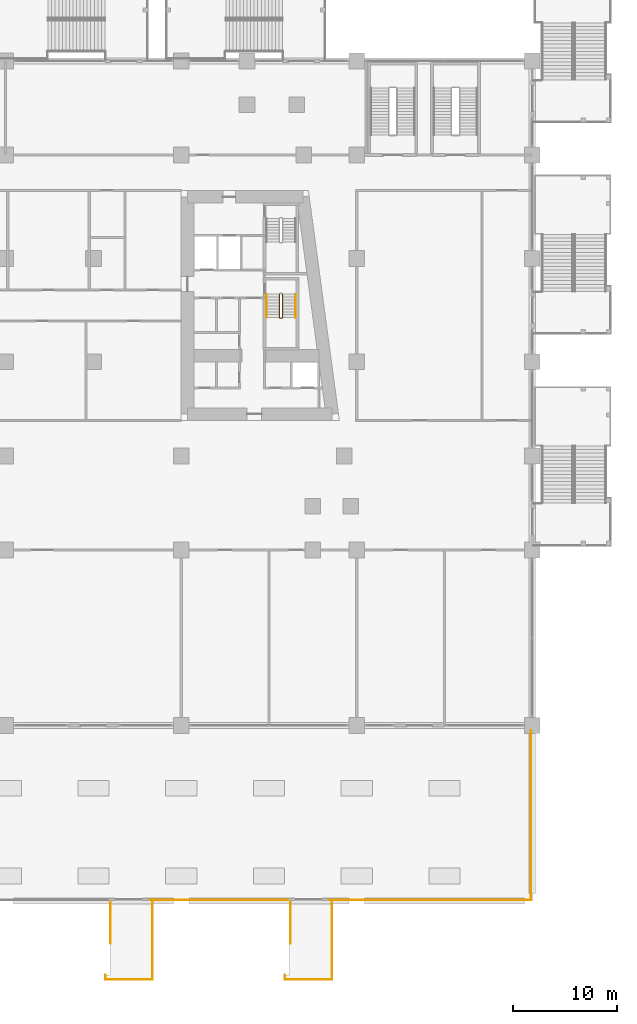
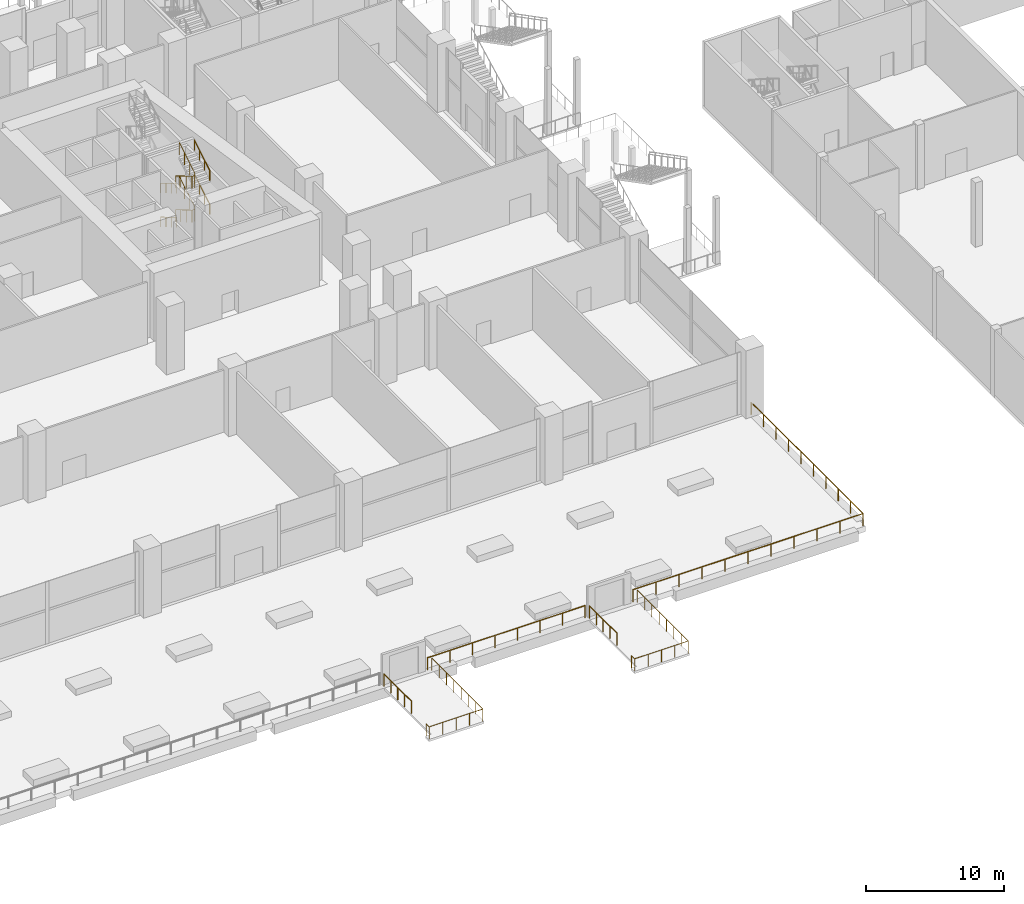
# One storey, part 36 of 47: 13 railings.
"""IFC4 building model written with IfcOpenShell, lengths in metres."""

from ifc_helpers import new_model, si_unit, direction, frame, origin, origin_2d, place, context, subcontext, project, spatial, circle, extrude, material, type_object, element, save


model = new_model("IFC4")

# Units and contexts
model_context = context("Model", 3, precision=1e-05, world=origin(), true_north=direction((0.0, 1.0)))
body_context = subcontext(model_context, "Body", "Model", "MODEL_VIEW")
ifc_project = project(units=[si_unit("LENGTHUNIT", "METRE"), si_unit("AREAUNIT", "SQUARE_METRE"), si_unit("VOLUMEUNIT", "CUBIC_METRE"), si_unit("PLANEANGLEUNIT", "RADIAN"), si_unit("MASSUNIT", "GRAM", prefix="KILO")], contexts=[model_context])

# Site, building, storey
site_placement = place(None, origin())
site = spatial("IfcSite", under=ifc_project, at=site_placement, CompositionType="ELEMENT")
building_placement = place(site_placement, origin())
building = spatial("IfcBuilding", under=site, at=building_placement, Name="Candeia Pilgrim Tower and Theatre", CompositionType="ELEMENT")
storey_placement = place(building_placement, frame((0.0, 0.0, 23.0)))
storey = spatial("IfcBuildingStorey", under=building, at=storey_placement, Name="L03", CompositionType="ELEMENT", Elevation=23.0)

# Railings
ifc_material_1 = material(Name="Stainless steel balustrade", Category="steel")
railing_type_1 = type_object("IfcRailingType", Name="G1 loggia guard 1100", PredefinedType="GUARDRAIL", material=ifc_material_1)
railing_1_placement = place(storey_placement, frame((159.47998046875, 64.52001953125, 0.0)))
element("IfcRailing", 1, at=railing_1_placement, inside=storey, type_object=railing_type_1, Name="Terrace guard L03.1", PredefinedType="GUARDRAIL", context=body_context, shape_type="SweptSolid", body=[
    extrude(circle(Radius=0.02392578125, at=origin_2d()), frame((0.0, 0.0, 1.076171875), z_axis=(-1.0, 0.0, 0.0), x_axis=(0.0, -1.0, 0.0)), (0.0, 0.0, 1.0), 19.280029296875),
    extrude(circle(Radius=0.02099609375, at=origin_2d()), origin(), (0.0, 0.0, 1.0), 1.052001953125),
    extrude(circle(Radius=0.02099609375, at=origin_2d()), frame((-1.927978515625, 0.0, 0.0)), (0.0, 0.0, 1.0), 1.052001953125),
    extrude(circle(Radius=0.02099609375, at=origin_2d()), frame((-3.85595703125, 0.0, 0.0)), (0.0, 0.0, 1.0), 1.052001953125),
    extrude(circle(Radius=0.02099609375, at=origin_2d()), frame((-5.783935546875, 0.0, 0.0)), (0.0, 0.0, 1.0), 1.052001953125),
    extrude(circle(Radius=0.02099609375, at=origin_2d()), frame((-7.7119140625, 0.0, 0.0)), (0.0, 0.0, 1.0), 1.052001953125),
    extrude(circle(Radius=0.02099609375, at=origin_2d()), frame((-9.64013671875, 0.0, 0.0)), (0.0, 0.0, 1.0), 1.052001953125),
    extrude(circle(Radius=0.02099609375, at=origin_2d()), frame((-11.568115234375, 0.0, 0.0)), (0.0, 0.0, 1.0), 1.052001953125),
    extrude(circle(Radius=0.02099609375, at=origin_2d()), frame((-13.49609375, 0.0, 0.0)), (0.0, 0.0, 1.0), 1.052001953125),
    extrude(circle(Radius=0.02099609375, at=origin_2d()), frame((-15.424072265625, 0.0, 0.0)), (0.0, 0.0, 1.0), 1.052001953125),
    extrude(circle(Radius=0.02099609375, at=origin_2d()), frame((-17.35205078125, 0.0, 0.0)), (0.0, 0.0, 1.0), 1.052001953125),
    extrude(circle(Radius=0.02099609375, at=origin_2d()), frame((-19.280029296875, 0.0, 0.0)), (0.0, 0.0, 1.0), 1.052001953125),
])
railing_2_placement = place(storey_placement, frame((136.199951171875, 64.52001953125, 0.0)))
element("IfcRailing", 2, at=railing_2_placement, inside=storey, type_object=railing_type_1, Name="Terrace guard L03.2", PredefinedType="GUARDRAIL", context=body_context, shape_type="SweptSolid", body=[
    extrude(circle(Radius=0.02392578125, at=origin_2d()), frame((0.0, 0.0, 1.076171875), z_axis=(-1.0, 0.0, 0.0), x_axis=(0.0, -1.0, 0.0)), (0.0, 0.0, 1.0), 13.199951171875),
    extrude(circle(Radius=0.02099609375, at=origin_2d()), origin(), (0.0, 0.0, 1.0), 1.052001953125),
    extrude(circle(Radius=0.02099609375, at=origin_2d()), frame((-1.8857421875, 0.0, 0.0)), (0.0, 0.0, 1.0), 1.052001953125),
    extrude(circle(Radius=0.02099609375, at=origin_2d()), frame((-3.771484375, 0.0, 0.0)), (0.0, 0.0, 1.0), 1.052001953125),
    extrude(circle(Radius=0.02099609375, at=origin_2d()), frame((-5.6572265625, 0.0, 0.0)), (0.0, 0.0, 1.0), 1.052001953125),
    extrude(circle(Radius=0.02099609375, at=origin_2d()), frame((-7.542724609375, 0.0, 0.0)), (0.0, 0.0, 1.0), 1.052001953125),
    extrude(circle(Radius=0.02099609375, at=origin_2d()), frame((-9.428466796875, 0.0, 0.0)), (0.0, 0.0, 1.0), 1.052001953125),
    extrude(circle(Radius=0.02099609375, at=origin_2d()), frame((-11.314208984375, 0.0, 0.0)), (0.0, 0.0, 1.0), 1.052001953125),
    extrude(circle(Radius=0.02099609375, at=origin_2d()), frame((-13.199951171875, 0.0, 0.0)), (0.0, 0.0, 1.0), 1.052001953125),
])
railing_3_placement = place(storey_placement, frame((159.47998046875, 80.75, 0.0)))
element("IfcRailing", 3, at=railing_3_placement, inside=storey, type_object=railing_type_1, Name="Terrace guard L03.6", PredefinedType="GUARDRAIL", context=body_context, shape_type="SweptSolid", body=[
    extrude(circle(Radius=0.02392578125, at=origin_2d()), frame((0.0, 0.0, 1.076171875), z_axis=(0.0, -1.0, 0.0), x_axis=(1.0, 0.0, 0.0)), (0.0, 0.0, 1.0), 16.22998046875),
    extrude(circle(Radius=0.02099609375, at=origin_2d()), origin(), (0.0, 0.0, 1.0), 1.052001953125),
    extrude(circle(Radius=0.02099609375, at=origin_2d()), frame((0.0, -1.80322265625, 0.0)), (0.0, 0.0, 1.0), 1.052001953125),
    extrude(circle(Radius=0.02099609375, at=origin_2d()), frame((0.0, -3.606689453125, 0.0)), (0.0, 0.0, 1.0), 1.052001953125),
    extrude(circle(Radius=0.02099609375, at=origin_2d()), frame((0.0, -5.409912109375, 0.0)), (0.0, 0.0, 1.0), 1.052001953125),
    extrude(circle(Radius=0.02099609375, at=origin_2d()), frame((0.0, -7.21337890625, 0.0)), (0.0, 0.0, 1.0), 1.052001953125),
    extrude(circle(Radius=0.02099609375, at=origin_2d()), frame((0.0, -9.0166015625, 0.0)), (0.0, 0.0, 1.0), 1.052001953125),
    extrude(circle(Radius=0.02099609375, at=origin_2d()), frame((0.0, -10.820068359375, 0.0)), (0.0, 0.0, 1.0), 1.052001953125),
    extrude(circle(Radius=0.02099609375, at=origin_2d()), frame((0.0, -12.623291015625, 0.0)), (0.0, 0.0, 1.0), 1.052001953125),
    extrude(circle(Radius=0.02099609375, at=origin_2d()), frame((0.0, -14.4267578125, 0.0)), (0.0, 0.0, 1.0), 1.052001953125),
    extrude(circle(Radius=0.02099609375, at=origin_2d()), frame((0.0, -16.22998046875, 0.0)), (0.0, 0.0, 1.0), 1.052001953125),
])
railing_type_2 = type_object("IfcRailingType", Name="RL-GUARD-1100", PredefinedType="GUARDRAIL", material=ifc_material_1)
railing_4_placement = place(storey_placement, frame((135.39794921875, 122.47509765625, 0.166748046875)))
element("IfcRailing", 4, at=railing_4_placement, inside=storey, type_object=railing_type_2, Name="L03 ST3 stair guard 1", PredefinedType="GUARDRAIL", context=body_context, shape_type="SweptSolid", body=[
    extrude(circle(Radius=0.02392578125, at=origin_2d()), frame((0.0, 0.0, 1.076171875), z_axis=(0.0, -0.859305625298, 0.511462454469), x_axis=(1.0, 0.0, 0.0)), (0.0, 0.0, 1.0), 2.606689453125),
    extrude(circle(Radius=0.02392578125, at=origin_2d()), frame((0.0, -2.239990234375, 2.4091796875), z_axis=(0.707106781187, -0.707106781187, 0.0), x_axis=(0.707106781187, 0.707106781187, 0.0)), (0.0, 0.0, 1.0), 0.07080078125),
    extrude(circle(Radius=0.02392578125, at=origin_2d()), frame((0.050048828125, -2.2900390625, 2.4091796875), z_axis=(1.0, 0.0, 0.0), x_axis=(0.0, 1.0, 0.0)), (0.0, 0.0, 1.0), 0.199951171875),
    extrude(circle(Radius=0.02392578125, at=origin_2d()), frame((0.25, -2.2900390625, 2.4091796875), z_axis=(0.27628659633, 0.27628659633, 0.920506074601), x_axis=(-0.707106781187, 0.707106781187, 0.0)), (0.0, 0.0, 1.0), 0.18115234375),
    extrude(circle(Radius=0.02392578125, at=origin_2d()), frame((0.300048828125, -2.239990234375, 2.576171875), z_axis=(0.0, 0.859305625298, 0.511462454469), x_axis=(-1.0, 0.0, 0.0)), (0.0, 0.0, 1.0), 2.606689453125),
    extrude(circle(Radius=0.02099609375, at=origin_2d()), origin(), (0.0, 0.0, 1.0), 1.052001953125),
    extrude(circle(Radius=0.02099609375, at=origin_2d()), frame((0.0, -0.74658203125, 0.4443359375)), (0.0, 0.0, 1.0), 1.052001953125),
    extrude(circle(Radius=0.02099609375, at=origin_2d()), frame((0.0, -1.493408203125, 0.888916015625)), (0.0, 0.0, 1.0), 1.052001953125),
    extrude(circle(Radius=0.02099609375, at=origin_2d()), frame((0.0, -2.239990234375, 1.333251953125)), (0.0, 0.0, 1.0), 1.052001953125),
    extrude(circle(Radius=0.02099609375, at=origin_2d()), frame((0.050048828125, -2.2900390625, 1.333251953125)), (0.0, 0.0, 1.0), 1.052001953125),
    extrude(circle(Radius=0.02099609375, at=origin_2d()), frame((0.25, -2.2900390625, 1.333251953125)), (0.0, 0.0, 1.0), 1.052001953125),
    extrude(circle(Radius=0.02099609375, at=origin_2d()), frame((0.300048828125, -2.239990234375, 1.5)), (0.0, 0.0, 1.0), 1.052001953125),
    extrude(circle(Radius=0.02099609375, at=origin_2d()), frame((0.300048828125, -1.493408203125, 1.9443359375)), (0.0, 0.0, 1.0), 1.052001953125),
    extrude(circle(Radius=0.02099609375, at=origin_2d()), frame((0.300048828125, -0.74658203125, 2.388916015625)), (0.0, 0.0, 1.0), 1.052001953125),
    extrude(circle(Radius=0.02099609375, at=origin_2d()), frame((0.300048828125, 0.0, 2.833251953125)), (0.0, 0.0, 1.0), 1.052001953125),
])
railing_5_placement = place(storey_placement, frame((135.39794921875, 122.47509765625, 3.166748046875)))
element("IfcRailing", 5, at=railing_5_placement, inside=storey, type_object=railing_type_2, Name="L03 ST3 stair guard 3", PredefinedType="GUARDRAIL", context=body_context, shape_type="SweptSolid", body=[
    extrude(circle(Radius=0.02392578125, at=origin_2d()), frame((0.0, 0.0, 1.076171875), z_axis=(0.0, -0.859305625298, 0.511462454469), x_axis=(1.0, 0.0, 0.0)), (0.0, 0.0, 1.0), 2.606689453125),
    extrude(circle(Radius=0.02392578125, at=origin_2d()), frame((0.0, -2.239990234375, 2.4091796875), z_axis=(0.707106781187, -0.707106781187, 0.0), x_axis=(0.707106781187, 0.707106781187, 0.0)), (0.0, 0.0, 1.0), 0.07080078125),
    extrude(circle(Radius=0.02392578125, at=origin_2d()), frame((0.050048828125, -2.2900390625, 2.4091796875), z_axis=(1.0, 0.0, 0.0), x_axis=(0.0, 1.0, 0.0)), (0.0, 0.0, 1.0), 0.199951171875),
    extrude(circle(Radius=0.02392578125, at=origin_2d()), frame((0.25, -2.2900390625, 2.4091796875), z_axis=(0.27628659633, 0.27628659633, 0.920506074601), x_axis=(-0.707106781187, 0.707106781187, 0.0)), (0.0, 0.0, 1.0), 0.18115234375),
    extrude(circle(Radius=0.02392578125, at=origin_2d()), frame((0.300048828125, -2.239990234375, 2.576171875), z_axis=(0.0, 0.859305625298, 0.511462454469), x_axis=(-1.0, 0.0, 0.0)), (0.0, 0.0, 1.0), 2.606689453125),
    extrude(circle(Radius=0.02099609375, at=origin_2d()), origin(), (0.0, 0.0, 1.0), 1.052001953125),
    extrude(circle(Radius=0.02099609375, at=origin_2d()), frame((0.0, -0.74658203125, 0.4443359375)), (0.0, 0.0, 1.0), 1.052001953125),
    extrude(circle(Radius=0.02099609375, at=origin_2d()), frame((0.0, -1.493408203125, 0.888916015625)), (0.0, 0.0, 1.0), 1.052001953125),
    extrude(circle(Radius=0.02099609375, at=origin_2d()), frame((0.0, -2.239990234375, 1.333251953125)), (0.0, 0.0, 1.0), 1.052001953125),
    extrude(circle(Radius=0.02099609375, at=origin_2d()), frame((0.050048828125, -2.2900390625, 1.333251953125)), (0.0, 0.0, 1.0), 1.052001953125),
    extrude(circle(Radius=0.02099609375, at=origin_2d()), frame((0.25, -2.2900390625, 1.333251953125)), (0.0, 0.0, 1.0), 1.052001953125),
    extrude(circle(Radius=0.02099609375, at=origin_2d()), frame((0.300048828125, -2.239990234375, 1.5)), (0.0, 0.0, 1.0), 1.052001953125),
    extrude(circle(Radius=0.02099609375, at=origin_2d()), frame((0.300048828125, -1.493408203125, 1.9443359375)), (0.0, 0.0, 1.0), 1.052001953125),
    extrude(circle(Radius=0.02099609375, at=origin_2d()), frame((0.300048828125, -0.74658203125, 2.388916015625)), (0.0, 0.0, 1.0), 1.052001953125),
    extrude(circle(Radius=0.02099609375, at=origin_2d()), frame((0.300048828125, 0.0, 2.833251953125)), (0.0, 0.0, 1.0), 1.052001953125),
])
railing_6_placement = place(storey_placement, frame((123.25, 64.300048828125, 0.0)))
element("IfcRailing", 6, at=railing_6_placement, inside=storey, type_object=railing_type_2, Name="L03 External escape stair ES9 landing guard", PredefinedType="GUARDRAIL", context=body_context, shape_type="SweptSolid", body=[
    extrude(circle(Radius=0.02392578125, at=origin_2d()), frame((0.0, 0.0, 1.076171875), z_axis=(0.0, -1.0, 0.0), x_axis=(1.0, 0.0, 0.0)), (0.0, 0.0, 1.0), 7.400146484375),
    extrude(circle(Radius=0.02392578125, at=origin_2d()), frame((0.0, -7.400146484375, 1.076171875), z_axis=(-1.0, 0.0, 0.0), x_axis=(0.0, -1.0, 0.0)), (0.0, 0.0, 1.0), 4.5),
    extrude(circle(Radius=0.02392578125, at=origin_2d()), frame((-4.5, -7.400146484375, 1.076171875), z_axis=(0.0, 1.0, 0.0), x_axis=(-1.0, 0.0, 0.0)), (0.0, 0.0, 1.0), 0.4501953125),
    extrude(circle(Radius=0.02099609375, at=origin_2d()), origin(), (0.0, 0.0, 1.0), 1.052001953125),
    extrude(circle(Radius=0.02099609375, at=origin_2d()), frame((0.0, -1.05712890625, 0.0)), (0.0, 0.0, 1.0), 1.052001953125),
    extrude(circle(Radius=0.02099609375, at=origin_2d()), frame((0.0, -2.1142578125, 0.0)), (0.0, 0.0, 1.0), 1.052001953125),
    extrude(circle(Radius=0.02099609375, at=origin_2d()), frame((0.0, -3.17138671875, 0.0)), (0.0, 0.0, 1.0), 1.052001953125),
    extrude(circle(Radius=0.02099609375, at=origin_2d()), frame((0.0, -4.228759765625, 0.0)), (0.0, 0.0, 1.0), 1.052001953125),
    extrude(circle(Radius=0.02099609375, at=origin_2d()), frame((0.0, -5.285888671875, 0.0)), (0.0, 0.0, 1.0), 1.052001953125),
    extrude(circle(Radius=0.02099609375, at=origin_2d()), frame((0.0, -6.343017578125, 0.0)), (0.0, 0.0, 1.0), 1.052001953125),
    extrude(circle(Radius=0.02099609375, at=origin_2d()), frame((0.0, -7.400146484375, 0.0)), (0.0, 0.0, 1.0), 1.052001953125),
    extrude(circle(Radius=0.02099609375, at=origin_2d()), frame((-1.125, -7.400146484375, 0.0)), (0.0, 0.0, 1.0), 1.052001953125),
    extrude(circle(Radius=0.02099609375, at=origin_2d()), frame((-2.25, -7.400146484375, 0.0)), (0.0, 0.0, 1.0), 1.052001953125),
    extrude(circle(Radius=0.02099609375, at=origin_2d()), frame((-3.375, -7.400146484375, 0.0)), (0.0, 0.0, 1.0), 1.052001953125),
    extrude(circle(Radius=0.02099609375, at=origin_2d()), frame((-4.5, -7.400146484375, 0.0)), (0.0, 0.0, 1.0), 1.052001953125),
    extrude(circle(Radius=0.02099609375, at=origin_2d()), frame((-4.5, -6.949951171875, 0.0)), (0.0, 0.0, 1.0), 1.052001953125),
])
railing_7_placement = place(storey_placement, frame((119.25, 64.300048828125, 0.0)))
element("IfcRailing", 7, at=railing_7_placement, inside=storey, type_object=railing_type_2, Name="L03 External escape stair ES9 top guard", PredefinedType="GUARDRAIL", context=body_context, shape_type="SweptSolid", body=[
    extrude(circle(Radius=0.02392578125, at=origin_2d()), frame((0.0, 0.0, 1.076171875), z_axis=(0.0, -1.0, 0.0), x_axis=(1.0, 0.0, 0.0)), (0.0, 0.0, 1.0), 3.949951171875),
    extrude(circle(Radius=0.02099609375, at=origin_2d()), origin(), (0.0, 0.0, 1.0), 1.052001953125),
    extrude(circle(Radius=0.02099609375, at=origin_2d()), frame((0.0, -0.987548828125, 0.0)), (0.0, 0.0, 1.0), 1.052001953125),
    extrude(circle(Radius=0.02099609375, at=origin_2d()), frame((0.0, -1.97509765625, 0.0)), (0.0, 0.0, 1.0), 1.052001953125),
    extrude(circle(Radius=0.02099609375, at=origin_2d()), frame((0.0, -2.96240234375, 0.0)), (0.0, 0.0, 1.0), 1.052001953125),
    extrude(circle(Radius=0.02099609375, at=origin_2d()), frame((0.0, -3.949951171875, 0.0)), (0.0, 0.0, 1.0), 1.052001953125),
])
railing_8_placement = place(storey_placement, frame((140.449951171875, 64.300048828125, 0.0)))
element("IfcRailing", 8, at=railing_8_placement, inside=storey, type_object=railing_type_2, Name="L03 External escape stair ES16 landing guard", PredefinedType="GUARDRAIL", context=body_context, shape_type="SweptSolid", body=[
    extrude(circle(Radius=0.02392578125, at=origin_2d()), frame((0.0, 0.0, 1.076171875), z_axis=(0.0, -1.0, 0.0), x_axis=(1.0, 0.0, 0.0)), (0.0, 0.0, 1.0), 7.400146484375),
    extrude(circle(Radius=0.02392578125, at=origin_2d()), frame((0.0, -7.400146484375, 1.076171875), z_axis=(-1.0, 0.0, 0.0), x_axis=(0.0, -1.0, 0.0)), (0.0, 0.0, 1.0), 4.5),
    extrude(circle(Radius=0.02392578125, at=origin_2d()), frame((-4.5, -7.400146484375, 1.076171875), z_axis=(0.0, 1.0, 0.0), x_axis=(-1.0, 0.0, 0.0)), (0.0, 0.0, 1.0), 0.4501953125),
    extrude(circle(Radius=0.02099609375, at=origin_2d()), origin(), (0.0, 0.0, 1.0), 1.052001953125),
    extrude(circle(Radius=0.02099609375, at=origin_2d()), frame((0.0, -1.05712890625, 0.0)), (0.0, 0.0, 1.0), 1.052001953125),
    extrude(circle(Radius=0.02099609375, at=origin_2d()), frame((0.0, -2.1142578125, 0.0)), (0.0, 0.0, 1.0), 1.052001953125),
    extrude(circle(Radius=0.02099609375, at=origin_2d()), frame((0.0, -3.17138671875, 0.0)), (0.0, 0.0, 1.0), 1.052001953125),
    extrude(circle(Radius=0.02099609375, at=origin_2d()), frame((0.0, -4.228759765625, 0.0)), (0.0, 0.0, 1.0), 1.052001953125),
    extrude(circle(Radius=0.02099609375, at=origin_2d()), frame((0.0, -5.285888671875, 0.0)), (0.0, 0.0, 1.0), 1.052001953125),
    extrude(circle(Radius=0.02099609375, at=origin_2d()), frame((0.0, -6.343017578125, 0.0)), (0.0, 0.0, 1.0), 1.052001953125),
    extrude(circle(Radius=0.02099609375, at=origin_2d()), frame((0.0, -7.400146484375, 0.0)), (0.0, 0.0, 1.0), 1.052001953125),
    extrude(circle(Radius=0.02099609375, at=origin_2d()), frame((-1.125, -7.400146484375, 0.0)), (0.0, 0.0, 1.0), 1.052001953125),
    extrude(circle(Radius=0.02099609375, at=origin_2d()), frame((-2.25, -7.400146484375, 0.0)), (0.0, 0.0, 1.0), 1.052001953125),
    extrude(circle(Radius=0.02099609375, at=origin_2d()), frame((-3.375, -7.400146484375, 0.0)), (0.0, 0.0, 1.0), 1.052001953125),
    extrude(circle(Radius=0.02099609375, at=origin_2d()), frame((-4.5, -7.400146484375, 0.0)), (0.0, 0.0, 1.0), 1.052001953125),
    extrude(circle(Radius=0.02099609375, at=origin_2d()), frame((-4.5, -6.949951171875, 0.0)), (0.0, 0.0, 1.0), 1.052001953125),
])
railing_9_placement = place(storey_placement, frame((136.449951171875, 64.300048828125, 0.0)))
element("IfcRailing", 9, at=railing_9_placement, inside=storey, type_object=railing_type_2, Name="L03 External escape stair ES16 top guard", PredefinedType="GUARDRAIL", context=body_context, shape_type="SweptSolid", body=[
    extrude(circle(Radius=0.02392578125, at=origin_2d()), frame((0.0, 0.0, 1.076171875), z_axis=(0.0, -1.0, 0.0), x_axis=(1.0, 0.0, 0.0)), (0.0, 0.0, 1.0), 3.949951171875),
    extrude(circle(Radius=0.02099609375, at=origin_2d()), origin(), (0.0, 0.0, 1.0), 1.052001953125),
    extrude(circle(Radius=0.02099609375, at=origin_2d()), frame((0.0, -0.987548828125, 0.0)), (0.0, 0.0, 1.0), 1.052001953125),
    extrude(circle(Radius=0.02099609375, at=origin_2d()), frame((0.0, -1.97509765625, 0.0)), (0.0, 0.0, 1.0), 1.052001953125),
    extrude(circle(Radius=0.02099609375, at=origin_2d()), frame((0.0, -2.96240234375, 0.0)), (0.0, 0.0, 1.0), 1.052001953125),
    extrude(circle(Radius=0.02099609375, at=origin_2d()), frame((0.0, -3.949951171875, 0.0)), (0.0, 0.0, 1.0), 1.052001953125),
])
ifc_material_2 = material(Name="Stainless steel handrail", Category="steel")
railing_type_3 = type_object("IfcRailingType", Name="RL-HANDRAIL-900", PredefinedType="HANDRAIL", material=ifc_material_2)
railing_10_placement = place(storey_placement, frame((134.14794921875, 122.47509765625, 0.166748046875)))
element("IfcRailing", 10, at=railing_10_placement, inside=storey, type_object=railing_type_3, Name="L03 ST3 stair handrail 1", PredefinedType="HANDRAIL", context=body_context, shape_type="SweptSolid", body=[
    extrude(circle(Radius=0.02392578125, at=origin_2d()), frame((0.0, 0.0, 0.8759765625), z_axis=(0.0, -0.859305625298, 0.511462454469), x_axis=(1.0, 0.0, 0.0)), (0.0, 0.0, 1.0), 2.606689453125),
    extrude(circle(Radius=0.02099609375, at=origin_2d()), origin(), (0.0, 0.0, 1.0), 0.851806640625),
    extrude(circle(Radius=0.02099609375, at=origin_2d()), frame((0.0, -0.74658203125, 0.4443359375)), (0.0, 0.0, 1.0), 0.851806640625),
    extrude(circle(Radius=0.02099609375, at=origin_2d()), frame((0.0, -1.493408203125, 0.888916015625)), (0.0, 0.0, 1.0), 0.851806640625),
    extrude(circle(Radius=0.02099609375, at=origin_2d()), frame((0.0, -2.239990234375, 1.333251953125)), (0.0, 0.0, 1.0), 0.851806640625),
])
railing_11_placement = place(storey_placement, frame((136.947998046875, 120.235107421875, 1.666748046875)))
element("IfcRailing", 11, at=railing_11_placement, inside=storey, type_object=railing_type_3, Name="L03 ST3 stair handrail 2", PredefinedType="HANDRAIL", context=body_context, shape_type="SweptSolid", body=[
    extrude(circle(Radius=0.02392578125, at=origin_2d()), frame((0.0, 0.0, 0.8759765625), z_axis=(0.0, 0.859305625298, 0.511462454469), x_axis=(-1.0, 0.0, 0.0)), (0.0, 0.0, 1.0), 2.606689453125),
    extrude(circle(Radius=0.02099609375, at=origin_2d()), origin(), (0.0, 0.0, 1.0), 0.851806640625),
    extrude(circle(Radius=0.02099609375, at=origin_2d()), frame((0.0, 0.74658203125, 0.4443359375)), (0.0, 0.0, 1.0), 0.851806640625),
    extrude(circle(Radius=0.02099609375, at=origin_2d()), frame((0.0, 1.493408203125, 0.888916015625)), (0.0, 0.0, 1.0), 0.851806640625),
    extrude(circle(Radius=0.02099609375, at=origin_2d()), frame((0.0, 2.239990234375, 1.333251953125)), (0.0, 0.0, 1.0), 0.851806640625),
])
railing_12_placement = place(storey_placement, frame((134.14794921875, 122.47509765625, 3.166748046875)))
element("IfcRailing", 12, at=railing_12_placement, inside=storey, type_object=railing_type_3, Name="L03 ST3 stair handrail 3", PredefinedType="HANDRAIL", context=body_context, shape_type="SweptSolid", body=[
    extrude(circle(Radius=0.02392578125, at=origin_2d()), frame((0.0, 0.0, 0.8759765625), z_axis=(0.0, -0.859305625298, 0.511462454469), x_axis=(1.0, 0.0, 0.0)), (0.0, 0.0, 1.0), 2.606689453125),
    extrude(circle(Radius=0.02099609375, at=origin_2d()), origin(), (0.0, 0.0, 1.0), 0.851806640625),
    extrude(circle(Radius=0.02099609375, at=origin_2d()), frame((0.0, -0.74658203125, 0.4443359375)), (0.0, 0.0, 1.0), 0.851806640625),
    extrude(circle(Radius=0.02099609375, at=origin_2d()), frame((0.0, -1.493408203125, 0.888916015625)), (0.0, 0.0, 1.0), 0.851806640625),
    extrude(circle(Radius=0.02099609375, at=origin_2d()), frame((0.0, -2.239990234375, 1.333251953125)), (0.0, 0.0, 1.0), 0.851806640625),
])
railing_13_placement = place(storey_placement, frame((136.947998046875, 120.235107421875, 4.666748046875)))
element("IfcRailing", 13, at=railing_13_placement, inside=storey, type_object=railing_type_3, Name="L03 ST3 stair handrail 4", PredefinedType="HANDRAIL", context=body_context, shape_type="SweptSolid", body=[
    extrude(circle(Radius=0.02392578125, at=origin_2d()), frame((0.0, 0.0, 0.8759765625), z_axis=(0.0, 0.859305625298, 0.511462454469), x_axis=(-1.0, 0.0, 0.0)), (0.0, 0.0, 1.0), 2.606689453125),
    extrude(circle(Radius=0.02099609375, at=origin_2d()), origin(), (0.0, 0.0, 1.0), 0.851806640625),
    extrude(circle(Radius=0.02099609375, at=origin_2d()), frame((0.0, 0.74658203125, 0.4443359375)), (0.0, 0.0, 1.0), 0.851806640625),
    extrude(circle(Radius=0.02099609375, at=origin_2d()), frame((0.0, 1.493408203125, 0.888916015625)), (0.0, 0.0, 1.0), 0.851806640625),
    extrude(circle(Radius=0.02099609375, at=origin_2d()), frame((0.0, 2.239990234375, 1.333251953125)), (0.0, 0.0, 1.0), 0.851806640625),
])

save(model, "model.ifc")
